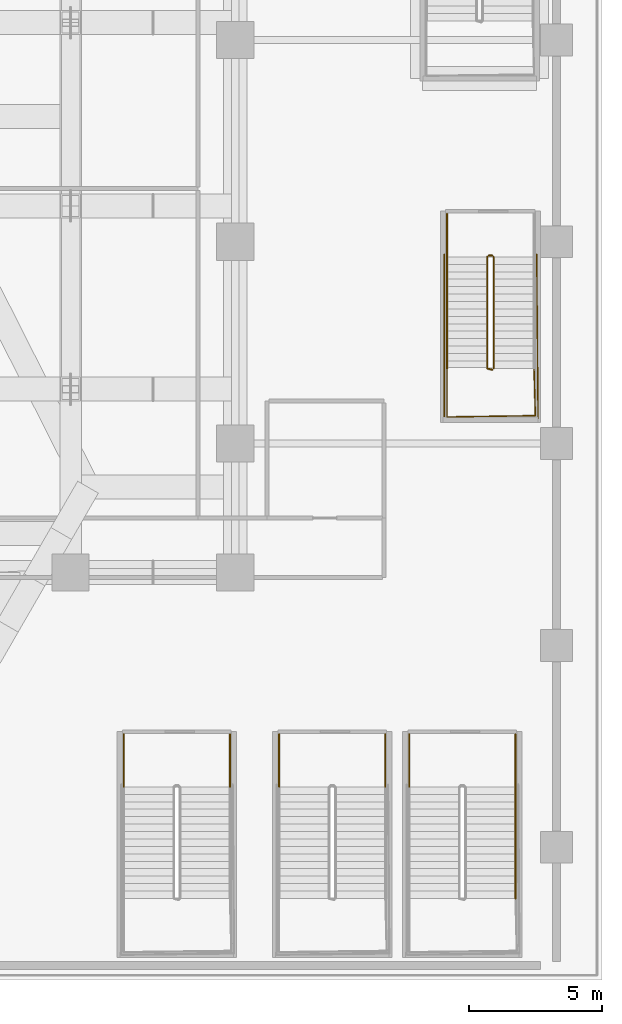
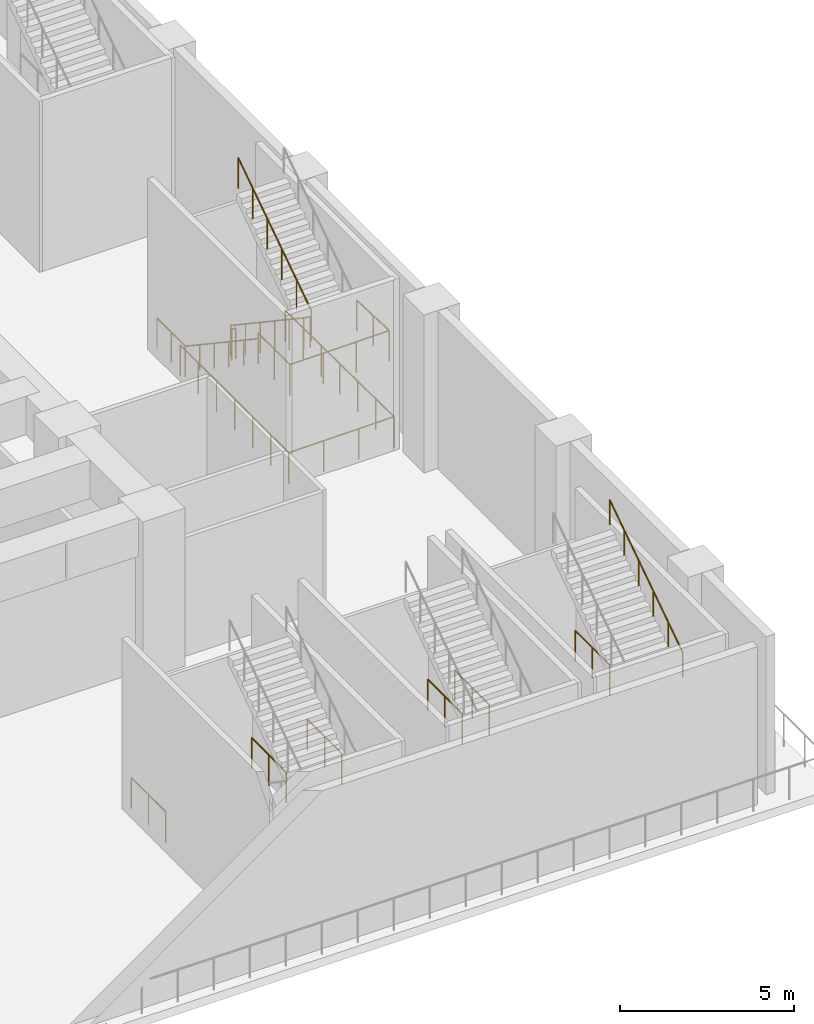
# One storey, part 25 of 27: 14 railings.
"""IFC4 building model written with IfcOpenShell, lengths in metres."""

from ifc_helpers import new_model, si_unit, direction, frame, origin, origin_2d, place, context, subcontext, project, spatial, circle, extrude, material, layer, layer_set, type_object, element, save


model = new_model("IFC4")

# Units and contexts
model_context = context("Model", 3, precision=1e-05, world=origin(), true_north=direction((0.0, 1.0)))
body_context = subcontext(model_context, "Body", "Model", "MODEL_VIEW")
ifc_project = project(units=[si_unit("LENGTHUNIT", "METRE"), si_unit("AREAUNIT", "SQUARE_METRE"), si_unit("VOLUMEUNIT", "CUBIC_METRE"), si_unit("PLANEANGLEUNIT", "RADIAN"), si_unit("MASSUNIT", "GRAM", prefix="KILO")], contexts=[model_context])

# Site, building, storey
site_placement = place(None, origin())
site = spatial("IfcSite", under=ifc_project, at=site_placement, CompositionType="ELEMENT")
building_placement = place(site_placement, origin())
building = spatial("IfcBuilding", under=site, at=building_placement, Name="Ndaravel Arena Tower", CompositionType="ELEMENT")
storey_placement = place(building_placement, frame((0.0, 0.0, 24.0)))
storey = spatial("IfcBuildingStorey", under=building, at=storey_placement, Name="L04", CompositionType="ELEMENT", Elevation=24.0)

# Railings
ifc_material_1 = material(Name="Steel S355", Category="steel")
ifc_layer_1 = layer(ifc_material_1, 0.06005859375)
ifc_layer_set_1 = layer_set([ifc_layer_1], Name="Steel S355")
railing_type_1 = type_object("IfcRailingType", Name="RAIL-STAIR-GD1100", PredefinedType="GUARDRAIL", material=ifc_layer_set_1)
for number, where, name in (
    (1, (66.0, 9.25, 0.0), "L04 ST-A04 stair guard 5"),
    (2, (70.0, 9.25, 0.0), "L04 ST-A04 stair guard 6"),
    (3, (71.85009765625, 9.25, 0.0), "L04 ST-A05 stair guard 5"),
    (4, (75.85009765625, 9.25, 0.0), "L04 ST-A05 stair guard 6"),
    (5, (76.75, 9.25, 0.0), "L04 ST-A06 stair guard 5"),
    (6, (80.75, 9.25, 0.0), "L04 ST-A06 stair guard 6"),
):
    element("IfcRailing", number, at=place(storey_placement, frame(where)), inside=storey, type_object=railing_type_1, Name=name, PredefinedType="GUARDRAIL", context=body_context, shape_type="SweptSolid", body=[
        extrude(circle(Radius=0.02392578125, at=origin_2d()), frame((0.0, 0.0, 1.076171875), z_axis=(0.0, -1.0, 0.0), x_axis=(1.0, 0.0, 0.0)), (0.0, 0.0, 1.0), 1.97998046875),
        extrude(circle(Radius=0.02099609375, at=origin_2d()), origin(), (0.0, 0.0, 1.0), 1.052001953125),
        extrude(circle(Radius=0.02099609375, at=origin_2d()), frame((0.0, -0.989990234375, 0.0)), (0.0, 0.0, 1.0), 1.052001953125),
        extrude(circle(Radius=0.02099609375, at=origin_2d()), frame((0.0, -1.97998046875, 0.0)), (0.0, 0.0, 1.0), 1.052001953125),
    ])
railing_1_placement = place(storey_placement, frame((79.68994140625, 27.22998046875, 0.1875)))
element("IfcRailing", 7, at=railing_1_placement, inside=storey, type_object=railing_type_1, Name="L04 ST-A12 stair guard 1", PredefinedType="GUARDRAIL", context=body_context, shape_type="SweptSolid", body=[
    extrude(circle(Radius=0.02392578125, at=origin_2d()), frame((0.0, 0.0, 1.076171875), z_axis=(0.0, -0.830904186295, 0.556415522067), x_axis=(1.0, 0.0, 0.0)), (0.0, 0.0, 1.0), 5.0546875),
    extrude(circle(Radius=0.02392578125, at=origin_2d()), frame((0.0, -4.199951171875, 3.888671875), z_axis=(0.966993988697, -0.254799187253, 0.0), x_axis=(0.254799187253, 0.966993988697, 0.0)), (0.0, 0.0, 1.0), 0.196533203125),
    extrude(circle(Radius=0.02099609375, at=origin_2d()), origin(), (0.0, 0.0, 1.0), 1.052001953125),
    extrude(circle(Radius=0.02099609375, at=origin_2d()), frame((0.0, -0.840087890625, 0.5625)), (0.0, 0.0, 1.0), 1.052001953125),
    extrude(circle(Radius=0.02099609375, at=origin_2d()), frame((0.0, -1.679931640625, 1.125)), (0.0, 0.0, 1.0), 1.052001953125),
    extrude(circle(Radius=0.02099609375, at=origin_2d()), frame((0.0, -2.52001953125, 1.6875)), (0.0, 0.0, 1.0), 1.052001953125),
    extrude(circle(Radius=0.02099609375, at=origin_2d()), frame((0.0, -3.35986328125, 2.25)), (0.0, 0.0, 1.0), 1.052001953125),
    extrude(circle(Radius=0.02099609375, at=origin_2d()), frame((0.0, -4.199951171875, 2.8125)), (0.0, 0.0, 1.0), 1.052001953125),
    extrude(circle(Radius=0.02099609375, at=origin_2d()), frame((0.18994140625, -4.25, 2.8125)), (0.0, 0.0, 1.0), 1.052001953125),
])
railing_2_placement = place(storey_placement, frame((78.169921875, 23.030029296875, 3.0)))
element("IfcRailing", 8, at=railing_2_placement, inside=storey, type_object=railing_type_1, Name="L04 ST-A12 stair guard 2", PredefinedType="GUARDRAIL", context=body_context, shape_type="SweptSolid", body=[
    extrude(circle(Radius=0.02392578125, at=origin_2d()), frame((0.0, 0.0, 1.076171875), z_axis=(0.0, -1.0, 0.0), x_axis=(1.0, 0.0, 0.0)), (0.0, 0.0, 1.0), 1.830078125),
    extrude(circle(Radius=0.02392578125, at=origin_2d()), frame((0.0, -1.830078125, 1.076171875), z_axis=(0.999887078817, 0.015027628384, 0.0), x_axis=(-0.015027628384, 0.999887078817, 0.0)), (0.0, 0.0, 1.0), 3.33056640625),
    extrude(circle(Radius=0.02392578125, at=origin_2d()), frame((3.330078125, -1.780029296875, 1.076171875), z_axis=(-0.028105748986, 0.999604955407, 0.0), x_axis=(-0.999604955407, -0.028105748986, 0.0)), (0.0, 0.0, 1.0), 1.78076171875),
    extrude(circle(Radius=0.02099609375, at=origin_2d()), origin(), (0.0, 0.0, 1.0), 1.052001953125),
    extrude(circle(Radius=0.02099609375, at=origin_2d()), frame((0.0, -0.9150390625, 0.0)), (0.0, 0.0, 1.0), 1.052001953125),
    extrude(circle(Radius=0.02099609375, at=origin_2d()), frame((0.0, -1.830078125, 0.0)), (0.0, 0.0, 1.0), 1.052001953125),
    extrude(circle(Radius=0.02099609375, at=origin_2d()), frame((1.110107421875, -1.8134765625, 0.0)), (0.0, 0.0, 1.0), 1.052001953125),
    extrude(circle(Radius=0.02099609375, at=origin_2d()), frame((2.219970703125, -1.796630859375, 0.0)), (0.0, 0.0, 1.0), 1.052001953125),
    extrude(circle(Radius=0.02099609375, at=origin_2d()), frame((3.330078125, -1.780029296875, 0.0)), (0.0, 0.0, 1.0), 1.052001953125),
    extrude(circle(Radius=0.02099609375, at=origin_2d()), frame((3.30517578125, -0.89013671875, 0.0)), (0.0, 0.0, 1.0), 1.052001953125),
    extrude(circle(Radius=0.02099609375, at=origin_2d()), frame((3.280029296875, 0.0, 0.0)), (0.0, 0.0, 1.0), 1.052001953125),
])
railing_3_placement = place(storey_placement, frame((79.929931640625, 23.030029296875, 3.1875)))
element("IfcRailing", 9, at=railing_3_placement, inside=storey, type_object=railing_type_1, Name="L04 ST-A12 stair guard 3", PredefinedType="GUARDRAIL", context=body_context, shape_type="SweptSolid", body=[
    extrude(circle(Radius=0.02392578125, at=origin_2d()), frame((0.0, 0.0, 1.076171875), z_axis=(0.0, 0.830904186295, 0.556415522067), x_axis=(-1.0, 0.0, 0.0)), (0.0, 0.0, 1.0), 5.0546875),
    extrude(circle(Radius=0.02099609375, at=origin_2d()), origin(), (0.0, 0.0, 1.0), 1.052001953125),
    extrude(circle(Radius=0.02099609375, at=origin_2d()), frame((0.0, 0.840087890625, 0.5625)), (0.0, 0.0, 1.0), 1.052001953125),
    extrude(circle(Radius=0.02099609375, at=origin_2d()), frame((0.0, 1.679931640625, 1.125)), (0.0, 0.0, 1.0), 1.052001953125),
    extrude(circle(Radius=0.02099609375, at=origin_2d()), frame((0.0, 2.52001953125, 1.6875)), (0.0, 0.0, 1.0), 1.052001953125),
    extrude(circle(Radius=0.02099609375, at=origin_2d()), frame((0.0, 3.35986328125, 2.25)), (0.0, 0.0, 1.0), 1.052001953125),
    extrude(circle(Radius=0.02099609375, at=origin_2d()), frame((0.0, 4.199951171875, 2.8125)), (0.0, 0.0, 1.0), 1.052001953125),
])
railing_4_placement = place(storey_placement, frame((79.739990234375, 27.280029296875, 0.0)))
element("IfcRailing", 10, at=railing_4_placement, inside=storey, type_object=railing_type_1, Name="L04 ST-A12 stair guard 4", PredefinedType="GUARDRAIL", context=body_context, shape_type="SweptSolid", body=[
    extrude(circle(Radius=0.02392578125, at=origin_2d()), frame((0.0, 0.0, 1.076171875), z_axis=(1.0, 0.0, 0.0), x_axis=(0.0, 1.0, 0.0)), (0.0, 0.0, 1.0), 0.139892578125),
    extrude(circle(Radius=0.02099609375, at=origin_2d()), origin(), (0.0, 0.0, 1.0), 1.052001953125),
    extrude(circle(Radius=0.02099609375, at=origin_2d()), frame((0.139892578125, 0.0, 0.0)), (0.0, 0.0, 1.0), 1.052001953125),
])
railing_5_placement = place(storey_placement, frame((78.169921875, 28.85009765625, 0.0)))
element("IfcRailing", 11, at=railing_5_placement, inside=storey, type_object=railing_type_1, Name="L04 ST-A12 stair guard 5", PredefinedType="GUARDRAIL", context=body_context, shape_type="SweptSolid", body=[
    extrude(circle(Radius=0.02392578125, at=origin_2d()), frame((0.0, 0.0, 1.076171875), z_axis=(0.0, -1.0, 0.0), x_axis=(1.0, 0.0, 0.0)), (0.0, 0.0, 1.0), 1.6201171875),
    extrude(circle(Radius=0.02099609375, at=origin_2d()), origin(), (0.0, 0.0, 1.0), 1.052001953125),
    extrude(circle(Radius=0.02099609375, at=origin_2d()), frame((0.0, -0.81005859375, 0.0)), (0.0, 0.0, 1.0), 1.052001953125),
    extrude(circle(Radius=0.02099609375, at=origin_2d()), frame((0.0, -1.6201171875, 0.0)), (0.0, 0.0, 1.0), 1.052001953125),
])
railing_6_placement = place(storey_placement, frame((78.070068359375, 27.330078125, 0.0)))
element("IfcRailing", 12, at=railing_6_placement, inside=storey, type_object=railing_type_1, Name="L04 ST-A12 stair guard 7", PredefinedType="GUARDRAIL", context=body_context, shape_type="SweptSolid", body=[
    extrude(circle(Radius=0.02392578125, at=origin_2d()), frame((0.0, 0.0, 1.076171875), z_axis=(0.0, -1.0, 0.0), x_axis=(1.0, 0.0, 0.0)), (0.0, 0.0, 1.0), 6.22998046875),
    extrude(circle(Radius=0.02392578125, at=origin_2d()), frame((0.0, -6.22998046875, 1.076171875), z_axis=(0.999900484898, 0.014107455489, 0.0), x_axis=(-0.014107455489, 0.999900484898, 0.0)), (0.0, 0.0, 1.0), 3.5302734375),
    extrude(circle(Radius=0.02392578125, at=origin_2d()), frame((3.530029296875, -6.18017578125, 1.076171875), z_axis=(-0.008098019995, 0.999967210499, 0.0), x_axis=(-0.999967210499, -0.008098019995, 0.0)), (0.0, 0.0, 1.0), 6.180419921875),
    extrude(circle(Radius=0.02099609375, at=origin_2d()), origin(), (0.0, 0.0, 1.0), 1.052001953125),
    extrude(circle(Radius=0.02099609375, at=origin_2d()), frame((0.0, -1.038330078125, 0.0)), (0.0, 0.0, 1.0), 1.052001953125),
    extrude(circle(Radius=0.02099609375, at=origin_2d()), frame((0.0, -2.07666015625, 0.0)), (0.0, 0.0, 1.0), 1.052001953125),
    extrude(circle(Radius=0.02099609375, at=origin_2d()), frame((0.0, -3.114990234375, 0.0)), (0.0, 0.0, 1.0), 1.052001953125),
    extrude(circle(Radius=0.02099609375, at=origin_2d()), frame((0.0, -4.1533203125, 0.0)), (0.0, 0.0, 1.0), 1.052001953125),
    extrude(circle(Radius=0.02099609375, at=origin_2d()), frame((0.0, -5.191650390625, 0.0)), (0.0, 0.0, 1.0), 1.052001953125),
    extrude(circle(Radius=0.02099609375, at=origin_2d()), frame((0.0, -6.22998046875, 0.0)), (0.0, 0.0, 1.0), 1.052001953125),
    extrude(circle(Radius=0.02099609375, at=origin_2d()), frame((1.1767578125, -6.21337890625, 0.0)), (0.0, 0.0, 1.0), 1.052001953125),
    extrude(circle(Radius=0.02099609375, at=origin_2d()), frame((2.353271484375, -6.19677734375, 0.0)), (0.0, 0.0, 1.0), 1.052001953125),
    extrude(circle(Radius=0.02099609375, at=origin_2d()), frame((3.530029296875, -6.18017578125, 0.0)), (0.0, 0.0, 1.0), 1.052001953125),
    extrude(circle(Radius=0.02099609375, at=origin_2d()), frame((3.521728515625, -5.150146484375, 0.0)), (0.0, 0.0, 1.0), 1.052001953125),
    extrude(circle(Radius=0.02099609375, at=origin_2d()), frame((3.513427734375, -4.1201171875, 0.0)), (0.0, 0.0, 1.0), 1.052001953125),
    extrude(circle(Radius=0.02099609375, at=origin_2d()), frame((3.5048828125, -3.090087890625, 0.0)), (0.0, 0.0, 1.0), 1.052001953125),
    extrude(circle(Radius=0.02099609375, at=origin_2d()), frame((3.49658203125, -2.06005859375, 0.0)), (0.0, 0.0, 1.0), 1.052001953125),
    extrude(circle(Radius=0.02099609375, at=origin_2d()), frame((3.48828125, -1.030029296875, 0.0)), (0.0, 0.0, 1.0), 1.052001953125),
    extrude(circle(Radius=0.02099609375, at=origin_2d()), frame((3.47998046875, 0.0, 0.0)), (0.0, 0.0, 1.0), 1.052001953125),
])
ifc_material_2 = material(Name="Steel S355", Category="steel")
ifc_layer_2 = layer(ifc_material_2, 0.050048828125)
ifc_layer_set_2 = layer_set([ifc_layer_2], Name="Steel S355")
railing_type_2 = type_object("IfcRailingType", Name="RAIL-STAIR-HR920", PredefinedType="HANDRAIL", material=ifc_layer_set_2)
railing_7_placement = place(storey_placement, frame((80.75, 3.070068359375, 3.1875)))
element("IfcRailing", 13, at=railing_7_placement, inside=storey, type_object=railing_type_2, Name="L04 ST-A06 stair handrail 2", PredefinedType="HANDRAIL", context=body_context, shape_type="SweptSolid", body=[
    extrude(circle(Radius=0.02392578125, at=origin_2d()), frame((0.0, 0.0, 0.8759765625), z_axis=(0.0, 0.830904186295, 0.556415522067), x_axis=(-1.0, 0.0, 0.0)), (0.0, 0.0, 1.0), 5.0546875),
    extrude(circle(Radius=0.02099609375, at=origin_2d()), origin(), (0.0, 0.0, 1.0), 0.851806640625),
    extrude(circle(Radius=0.02099609375, at=origin_2d()), frame((0.0, 0.840087890625, 0.5625)), (0.0, 0.0, 1.0), 0.851806640625),
    extrude(circle(Radius=0.02099609375, at=origin_2d()), frame((0.0, 1.679931640625, 1.125)), (0.0, 0.0, 1.0), 0.851806640625),
    extrude(circle(Radius=0.02099609375, at=origin_2d()), frame((0.0, 2.52001953125, 1.6875)), (0.0, 0.0, 1.0), 0.851806640625),
    extrude(circle(Radius=0.02099609375, at=origin_2d()), frame((0.0, 3.35986328125, 2.25)), (0.0, 0.0, 1.0), 0.851806640625),
    extrude(circle(Radius=0.02099609375, at=origin_2d()), frame((0.0, 4.199951171875, 2.8125)), (0.0, 0.0, 1.0), 0.851806640625),
])
railing_8_placement = place(storey_placement, frame((78.169921875, 27.22998046875, 0.1875)))
element("IfcRailing", 14, at=railing_8_placement, inside=storey, type_object=railing_type_2, Name="L04 ST-A12 stair handrail 1", PredefinedType="HANDRAIL", context=body_context, shape_type="SweptSolid", body=[
    extrude(circle(Radius=0.02392578125, at=origin_2d()), frame((0.0, 0.0, 0.8759765625), z_axis=(0.0, -0.830904186295, 0.556415522067), x_axis=(1.0, 0.0, 0.0)), (0.0, 0.0, 1.0), 5.0546875),
    extrude(circle(Radius=0.02099609375, at=origin_2d()), origin(), (0.0, 0.0, 1.0), 0.851806640625),
    extrude(circle(Radius=0.02099609375, at=origin_2d()), frame((0.0, -0.840087890625, 0.5625)), (0.0, 0.0, 1.0), 0.851806640625),
    extrude(circle(Radius=0.02099609375, at=origin_2d()), frame((0.0, -1.679931640625, 1.125)), (0.0, 0.0, 1.0), 0.851806640625),
    extrude(circle(Radius=0.02099609375, at=origin_2d()), frame((0.0, -2.52001953125, 1.6875)), (0.0, 0.0, 1.0), 0.851806640625),
    extrude(circle(Radius=0.02099609375, at=origin_2d()), frame((0.0, -3.35986328125, 2.25)), (0.0, 0.0, 1.0), 0.851806640625),
    extrude(circle(Radius=0.02099609375, at=origin_2d()), frame((0.0, -4.199951171875, 2.8125)), (0.0, 0.0, 1.0), 0.851806640625),
])

save(model, "model.ifc")
